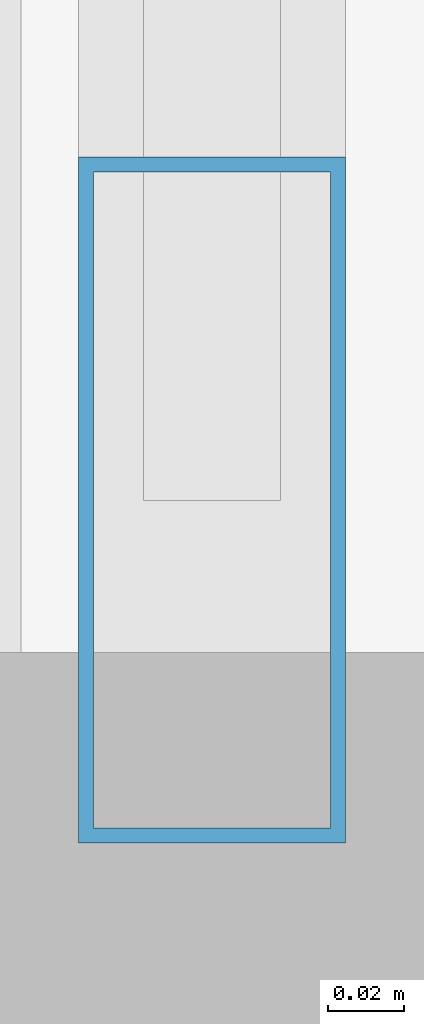
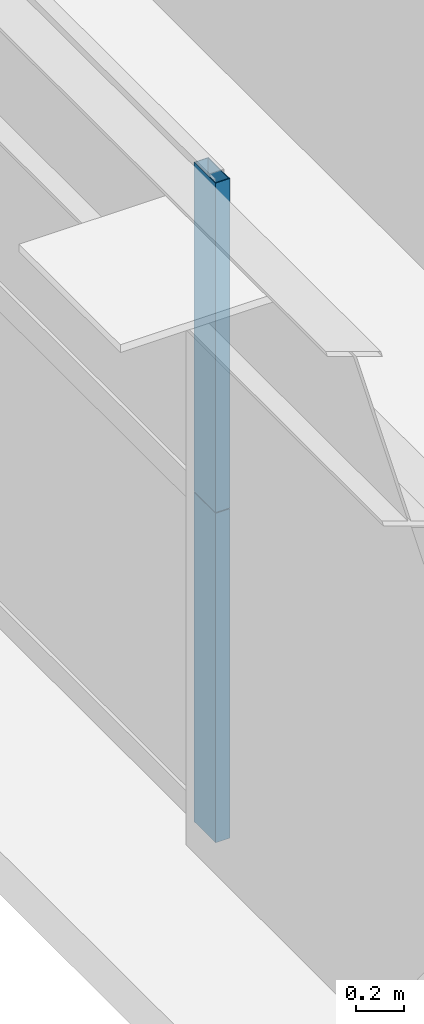
# One storey, part 5 of 43: 2 members, 1 element without a shape of its own.
"""IFC4 building model written with IfcOpenShell, lengths in metres."""

from ifc_helpers import new_model, si_unit, direction, frame, origin, origin_2d, place, context, subcontext, project, spatial, hollow_rectangle, extrude, source, transform, mapped, material, layer, layer_set, material_profile, profile_set, type_object, element, aggregate, save


model = new_model("IFC4")

# Units and contexts
model_context = context("Model", 3, precision=1e-05, world=origin(), true_north=direction((0.0, 1.0)))
body_context = subcontext(model_context, "Body", "Model", "MODEL_VIEW")
ifc_project = project(units=[si_unit("LENGTHUNIT", "METRE"), si_unit("AREAUNIT", "SQUARE_METRE"), si_unit("VOLUMEUNIT", "CUBIC_METRE"), si_unit("PLANEANGLEUNIT", "RADIAN"), si_unit("MASSUNIT", "GRAM", prefix="KILO"), si_unit("THERMODYNAMICTEMPERATUREUNIT", "KELVIN"), si_unit("POWERUNIT", "WATT")], contexts=[model_context])

# Site, building, storey
site_placement = place(None, origin())
site = spatial("IfcSite", under=ifc_project, at=site_placement, CompositionType="ELEMENT")
building_placement = place(site_placement, origin())
building = spatial("IfcBuilding", under=site, at=building_placement, Name="Yuzanri Waterfront Tower", CompositionType="ELEMENT")
storey_placement = place(building_placement, frame((0.0, 0.0, 64.0)))
storey = spatial("IfcBuildingStorey", under=building, at=storey_placement, Name="L16", CompositionType="ELEMENT", Elevation=64.0)

# Curtain wall, members
ifc_material_1 = material(Name="Anodized Architectural Bronze", Category="metal")
ifc_layer = layer(ifc_material_1, 0.159912109375)
ifc_layer_set = layer_set([ifc_layer], Name="Anodized Architectural Bronze")
curtain_wall_type = type_object("IfcCurtainWallType", Name="Anodized Bronze Hotel Lower-Tier Recessed Unitized Curtain Wall 8100", PredefinedType="NOTDEFINED", material=ifc_layer_set)
curtain_wall_placement = place(storey_placement, origin())
curtain_wall = element("IfcCurtainWall", 1, at=curtain_wall_placement, inside=storey, type_object=curtain_wall_type, Name="L16 Curtain Wall CW-L16-WL", PredefinedType="NOTDEFINED")
ifc_material_2 = material(Name="Anodized Architectural Bronze", Category="metal")
ifc_material_profile = material_profile(ifc_material_2, hollow_rectangle(XDim=0.070068359375, YDim=0.179931640625, WallThickness=0.00390625, at=origin_2d()), Name="CWM 70x180")
ifc_profile_set = profile_set([ifc_material_profile], Name="Anodized Architectural Bronze")
member_type = type_object("IfcMemberType", Name="Anodized Bronze Standard Curtain-Wall Mullion 70x180", PredefinedType="MULLION", material=ifc_profile_set)
shared_shape = source(origin(), body_context, "Body", "SweptSolid", [
    extrude(hollow_rectangle(XDim=0.070068359375, YDim=0.179931640625, WallThickness=0.00390625, at=origin_2d()), origin(), (0.0, 0.0, 1.0), 1.68798828125),
])
member_1_placement = place(storey_placement, frame((12.050048828125, 8.090087890625, 0.0), z_axis=(0.0, 0.0, 1.0), x_axis=(1.0, 0.0, 0.0)))
member_1 = element("IfcMember", 2, at=member_1_placement, type_object=member_type, Name="CW-L16-WL Lower Mullion 00", PredefinedType="MULLION", context=body_context, shape_type="MappedRepresentation", body=[
    mapped(shared_shape, transform((0.0, 0.0, 0.0), scale=1.0)),
])
member_2_placement = place(storey_placement, frame((12.050048828125, 8.090087890625, 1.69189453125), z_axis=(0.0, 0.0, 1.0), x_axis=(1.0, 0.0, 0.0)))
member_2 = element("IfcMember", 3, at=member_2_placement, type_object=member_type, Name="CW-L16-WL Upper Mullion 00", PredefinedType="MULLION", context=body_context, shape_type="MappedRepresentation", body=[
    mapped(shared_shape, transform((0.0, 0.0, 0.0), scale=1.0)),
])
aggregate(curtain_wall, [member_1, member_2])

save(model, "model.ifc")
